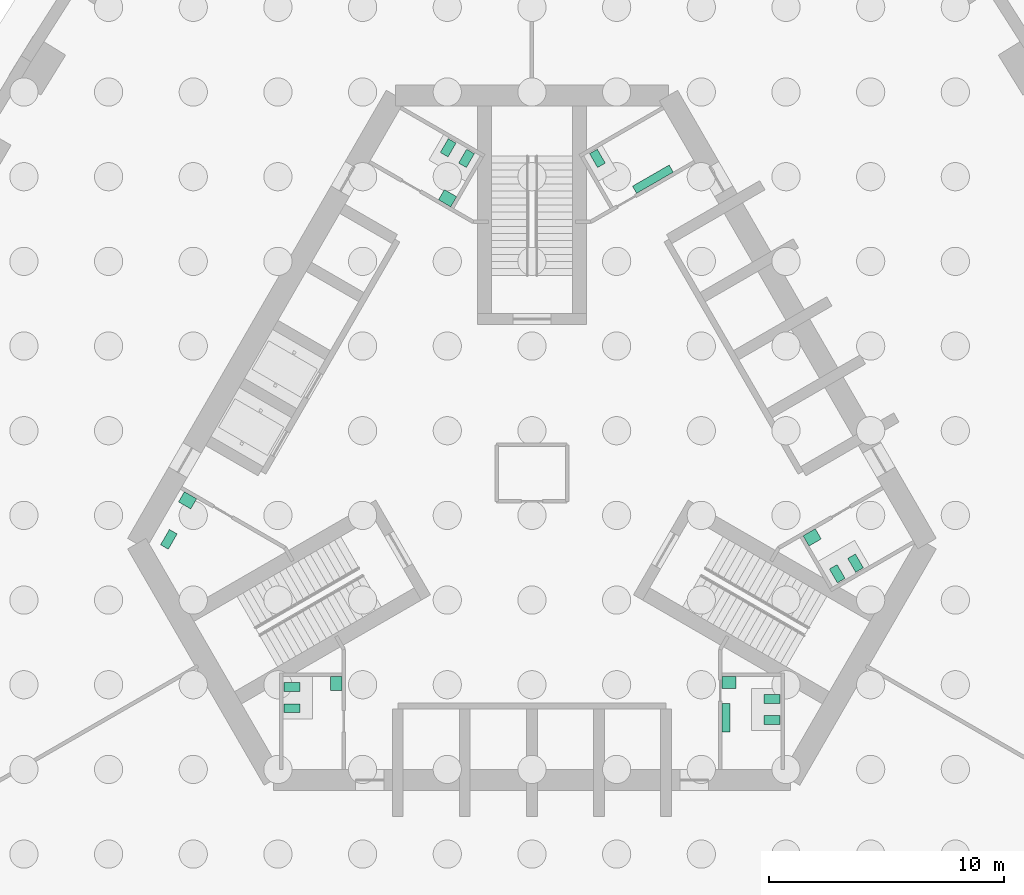
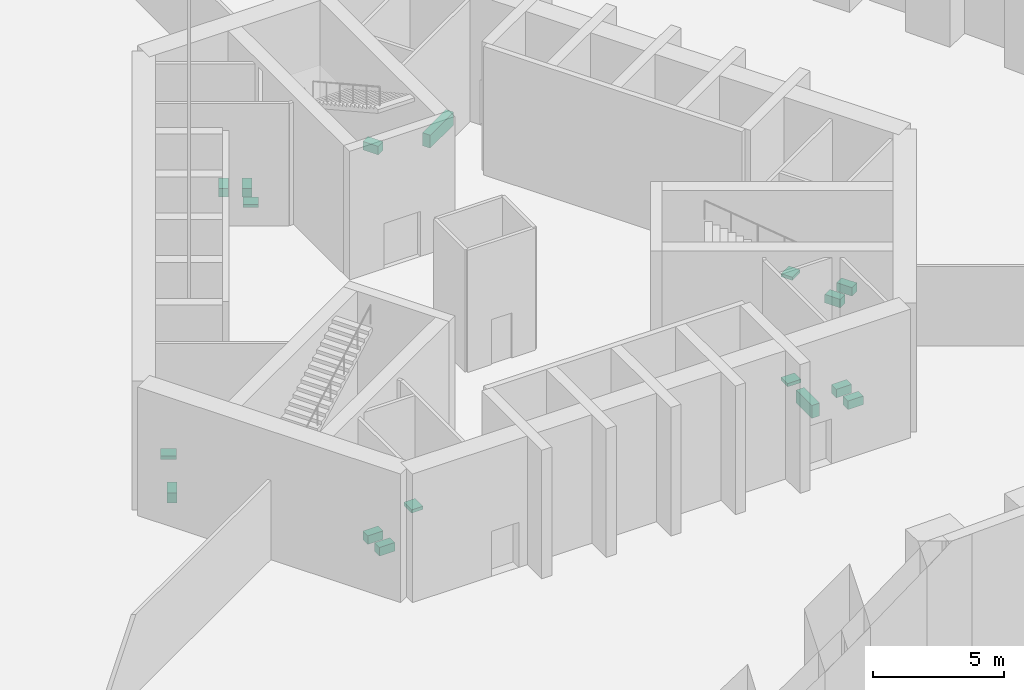
# One storey, part 7 of 12: 17 sanitary terminals.
"""IFC4 building model written with IfcOpenShell, lengths in metres."""

from ifc_helpers import new_model, si_unit, direction, frame, origin, place, context, subcontext, project, spatial, polyline, outline, extrude, material, type_object, element, save


model = new_model("IFC4")

# Units and contexts
model_context = context("Model", 3, precision=1e-05, world=origin(), true_north=direction((0.0, 1.0)))
body_context = subcontext(model_context, "Body", "Model", "MODEL_VIEW")
ifc_project = project(units=[si_unit("LENGTHUNIT", "METRE"), si_unit("AREAUNIT", "SQUARE_METRE"), si_unit("VOLUMEUNIT", "CUBIC_METRE"), si_unit("PLANEANGLEUNIT", "RADIAN"), si_unit("MASSUNIT", "GRAM", prefix="KILO")], contexts=[model_context])

# Site, building, storey
site_placement = place(None, origin())
site = spatial("IfcSite", under=ifc_project, at=site_placement, CompositionType="ELEMENT")
building_placement = place(site_placement, origin())
building = spatial("IfcBuilding", under=site, at=building_placement, Name="Trefoil Bronze Tower", CompositionType="ELEMENT")
storey_placement = place(building_placement, frame((0.0, 0.0, -6.0)))
storey = spatial("IfcBuildingStorey", under=building, at=storey_placement, Name="B1", CompositionType="ELEMENT", Elevation=-6.0)

# Sanitary terminals
ifc_material_1 = material(Name="Vitreous china", Category="ceramic")
sanitary_terminal_type_1 = type_object("IfcSanitaryTerminalType", Name="Accessible WC pan", PredefinedType="TOILETPAN", material=ifc_material_1)
sanitary_terminal_1_placement = place(storey_placement, origin())
element("IfcSanitaryTerminal", 1, at=sanitary_terminal_1_placement, inside=storey, type_object=sanitary_terminal_type_1, Name="WC pan 1 Accessible WC B1", PredefinedType="TOILETPAN", context=body_context, shape_type="SweptSolid", body=[
    extrude(outline(polyline([(-15.085693359375, -2.589111328125), (-15.460693359375, -3.238525390625), (-15.789794921875, -3.048583984375), (-15.414794921875, -2.399169921875), (-15.085693359375, -2.589111328125)])), origin(), (0.0, 0.0, 1.0), 0.449951171875),
])
ifc_material_2 = material(Name="Vitreous china", Category="ceramic")
sanitary_terminal_type_2 = type_object("IfcSanitaryTerminalType", Name="Accessible basin", PredefinedType="WASHHANDBASIN", material=ifc_material_2)
sanitary_terminal_2_placement = place(storey_placement, frame((0.0, 0.0, 0.64990234375)))
element("IfcSanitaryTerminal", 2, at=sanitary_terminal_2_placement, inside=storey, type_object=sanitary_terminal_type_2, Name="Wash basin Accessible WC B1", PredefinedType="WASHHANDBASIN", context=body_context, shape_type="SweptSolid", body=[
    extrude(outline(polyline([(-14.256591796875, -1.09326171875), (-14.506591796875, -1.526123046875), (-15.026123046875, -1.22607421875), (-14.776123046875, -0.793212890625), (-14.256591796875, -1.09326171875)])), origin(), (0.0, 0.0, 1.0), 0.150146484375),
])
ifc_material_3 = material(Name="Vitreous china", Category="ceramic")
sanitary_terminal_type_3 = type_object("IfcSanitaryTerminalType", Name="Urinal range 2 urinals", PredefinedType="URINAL", material=ifc_material_3)
sanitary_terminal_3_placement = place(storey_placement, frame((0.0, 0.0, 0.39990234375)))
element("IfcSanitaryTerminal", 3, at=sanitary_terminal_3_placement, inside=storey, type_object=sanitary_terminal_type_3, Name="Urinal range WC (men) B1", PredefinedType="URINAL", context=body_context, shape_type="SweptSolid", body=[
    extrude(outline(polyline([(8.074951171875, -9.800048828125), (8.425048828125, -9.800048828125), (8.425048828125, -11.0), (8.074951171875, -11.0), (8.074951171875, -9.800048828125)])), origin(), (0.0, 0.0, 1.0), 0.60009765625),
])
ifc_material_4 = material(Name="Vitreous china", Category="ceramic")
sanitary_terminal_type_4 = type_object("IfcSanitaryTerminalType", Name="Urinal range 3 urinals", PredefinedType="URINAL", material=ifc_material_4)
sanitary_terminal_4_placement = place(storey_placement, frame((0.0, 0.0, 0.39990234375)))
element("IfcSanitaryTerminal", 4, at=sanitary_terminal_4_placement, inside=storey, type_object=sanitary_terminal_type_4, Name="Urinal range WC (men) B1", PredefinedType="URINAL", context=body_context, shape_type="SweptSolid", body=[
    extrude(outline(polyline([(4.449462890625, 11.89306640625), (4.274658203125, 12.1962890625), (5.83349609375, 13.09619140625), (6.00830078125, 12.793212890625), (4.449462890625, 11.89306640625)])), origin(), (0.0, 0.0, 1.0), 0.60009765625),
])
ifc_material_5 = material(Name="Solid surface vanity", Category="plastic")
sanitary_terminal_type_5 = type_object("IfcSanitaryTerminalType", Name="Vanity unit 1 basins", PredefinedType="WASHHANDBASIN", material=ifc_material_5)
sanitary_terminal_5_placement = place(storey_placement, frame((0.0, 0.0, 0.75)))
element("IfcSanitaryTerminal", 5, at=sanitary_terminal_5_placement, inside=storey, type_object=sanitary_terminal_type_5, Name="Vanity unit WC (men) B1", PredefinedType="WASHHANDBASIN", context=body_context, shape_type="SweptSolid", body=[
    extrude(outline(polyline([(8.074951171875, -8.64990234375), (8.675048828125, -8.64990234375), (8.675048828125, -9.14990234375), (8.074951171875, -9.14990234375), (8.074951171875, -8.64990234375)])), origin(), (0.0, 0.0, 1.0), 0.14990234375),
])
sanitary_terminal_6_placement = place(storey_placement, frame((0.0, 0.0, 0.75)))
element("IfcSanitaryTerminal", 6, at=sanitary_terminal_6_placement, inside=storey, type_object=sanitary_terminal_type_5, Name="Vanity unit WC (women) B1", PredefinedType="WASHHANDBASIN", context=body_context, shape_type="SweptSolid", body=[
    extrude(outline(polyline([(11.528564453125, -2.668212890625), (11.778564453125, -3.10107421875), (12.29833984375, -2.80126953125), (12.04833984375, -2.3681640625), (11.528564453125, -2.668212890625)])), origin(), (0.0, 0.0, 1.0), 0.14990234375),
])
sanitary_terminal_7_placement = place(storey_placement, frame((0.0, 0.0, 0.75)))
element("IfcSanitaryTerminal", 7, at=sanitary_terminal_7_placement, inside=storey, type_object=sanitary_terminal_type_5, Name="Vanity unit WC (women) B1", PredefinedType="WASHHANDBASIN", context=body_context, shape_type="SweptSolid", body=[
    extrude(outline(polyline([(-3.45361328125, 11.318115234375), (-3.20361328125, 11.751220703125), (-3.72314453125, 12.05126953125), (-3.97314453125, 11.6181640625), (-3.45361328125, 11.318115234375)])), origin(), (0.0, 0.0, 1.0), 0.14990234375),
])
sanitary_terminal_8_placement = place(storey_placement, frame((0.0, 0.0, 0.75)))
element("IfcSanitaryTerminal", 8, at=sanitary_terminal_8_placement, inside=storey, type_object=sanitary_terminal_type_5, Name="Vanity unit WC (women) B1", PredefinedType="WASHHANDBASIN", context=body_context, shape_type="SweptSolid", body=[
    extrude(outline(polyline([(-8.074951171875, -8.64990234375), (-8.574951171875, -8.64990234375), (-8.574951171875, -9.25), (-8.074951171875, -9.25), (-8.074951171875, -8.64990234375)])), origin(), (0.0, 0.0, 1.0), 0.14990234375),
])
ifc_material_6 = material(Name="Vitreous china", Category="ceramic")
sanitary_terminal_type_6 = type_object("IfcSanitaryTerminalType", Name="WC pan", PredefinedType="TOILETPAN", material=ifc_material_6)
sanitary_terminal_9_placement = place(storey_placement, origin())
element("IfcSanitaryTerminal", 9, at=sanitary_terminal_9_placement, inside=storey, type_object=sanitary_terminal_type_6, Name="WC pan 1 WC (men) B1", PredefinedType="TOILETPAN", context=body_context, shape_type="SweptSolid", body=[
    extrude(outline(polyline([(9.85498046875, -9.409912109375), (10.534912109375, -9.409912109375), (10.534912109375, -9.7900390625), (9.85498046875, -9.7900390625), (9.85498046875, -9.409912109375)])), origin(), (0.0, 0.0, 1.0), 0.39990234375),
])
sanitary_terminal_10_placement = place(storey_placement, origin())
element("IfcSanitaryTerminal", 10, at=sanitary_terminal_10_placement, inside=storey, type_object=sanitary_terminal_type_6, Name="WC pan 2 WC (men) B1", PredefinedType="TOILETPAN", context=body_context, shape_type="SweptSolid", body=[
    extrude(outline(polyline([(9.85498046875, -10.31005859375), (10.534912109375, -10.31005859375), (10.534912109375, -10.68994140625), (9.85498046875, -10.68994140625), (9.85498046875, -10.31005859375)])), origin(), (0.0, 0.0, 1.0), 0.39990234375),
])
sanitary_terminal_11_placement = place(storey_placement, origin())
element("IfcSanitaryTerminal", 11, at=sanitary_terminal_11_placement, inside=storey, type_object=sanitary_terminal_type_6, Name="WC pan 1 WC (women) B1", PredefinedType="TOILETPAN", context=body_context, shape_type="SweptSolid", body=[
    extrude(outline(polyline([(12.643798828125, -4.07958984375), (12.98388671875, -4.66845703125), (13.31298828125, -4.478515625), (12.972900390625, -3.8896484375), (12.643798828125, -4.07958984375)])), origin(), (0.0, 0.0, 1.0), 0.39990234375),
])
sanitary_terminal_12_placement = place(storey_placement, origin())
element("IfcSanitaryTerminal", 12, at=sanitary_terminal_12_placement, inside=storey, type_object=sanitary_terminal_type_6, Name="WC pan 2 WC (women) B1", PredefinedType="TOILETPAN", context=body_context, shape_type="SweptSolid", body=[
    extrude(outline(polyline([(13.423095703125, -3.629638671875), (13.76318359375, -4.218505859375), (14.09228515625, -4.028564453125), (13.752197265625, -3.439697265625), (13.423095703125, -3.629638671875)])), origin(), (0.0, 0.0, 1.0), 0.39990234375),
])
sanitary_terminal_13_placement = place(storey_placement, origin())
element("IfcSanitaryTerminal", 13, at=sanitary_terminal_13_placement, inside=storey, type_object=sanitary_terminal_type_6, Name="WC pan 1 WC (men) B1", PredefinedType="TOILETPAN", context=body_context, shape_type="SweptSolid", body=[
    extrude(outline(polyline([(2.788818359375, 12.98974609375), (2.44873046875, 13.57861328125), (2.77783203125, 13.7685546875), (3.117919921875, 13.1796875), (2.788818359375, 12.98974609375)])), origin(), (0.0, 0.0, 1.0), 0.39990234375),
])
sanitary_terminal_14_placement = place(storey_placement, origin())
element("IfcSanitaryTerminal", 14, at=sanitary_terminal_14_placement, inside=storey, type_object=sanitary_terminal_type_6, Name="WC pan 1 WC (women) B1", PredefinedType="TOILETPAN", context=body_context, shape_type="SweptSolid", body=[
    extrude(outline(polyline([(-2.788818359375, 12.98974609375), (-2.44873046875, 13.57861328125), (-2.77783203125, 13.7685546875), (-3.117919921875, 13.1796875), (-2.788818359375, 12.98974609375)])), origin(), (0.0, 0.0, 1.0), 0.39990234375),
])
sanitary_terminal_15_placement = place(storey_placement, origin())
element("IfcSanitaryTerminal", 15, at=sanitary_terminal_15_placement, inside=storey, type_object=sanitary_terminal_type_6, Name="WC pan 2 WC (women) B1", PredefinedType="TOILETPAN", context=body_context, shape_type="SweptSolid", body=[
    extrude(outline(polyline([(-3.568115234375, 13.439697265625), (-3.228271484375, 14.028564453125), (-3.557373046875, 14.218505859375), (-3.897216796875, 13.629638671875), (-3.568115234375, 13.439697265625)])), origin(), (0.0, 0.0, 1.0), 0.39990234375),
])
sanitary_terminal_16_placement = place(storey_placement, origin())
element("IfcSanitaryTerminal", 16, at=sanitary_terminal_16_placement, inside=storey, type_object=sanitary_terminal_type_6, Name="WC pan 1 WC (women) B1", PredefinedType="TOILETPAN", context=body_context, shape_type="SweptSolid", body=[
    extrude(outline(polyline([(-9.85498046875, -8.909912109375), (-10.534912109375, -8.909912109375), (-10.534912109375, -9.2900390625), (-9.85498046875, -9.2900390625), (-9.85498046875, -8.909912109375)])), origin(), (0.0, 0.0, 1.0), 0.39990234375),
])
sanitary_terminal_17_placement = place(storey_placement, origin())
element("IfcSanitaryTerminal", 17, at=sanitary_terminal_17_placement, inside=storey, type_object=sanitary_terminal_type_6, Name="WC pan 2 WC (women) B1", PredefinedType="TOILETPAN", context=body_context, shape_type="SweptSolid", body=[
    extrude(outline(polyline([(-9.85498046875, -9.81005859375), (-10.534912109375, -9.81005859375), (-10.534912109375, -10.18994140625), (-9.85498046875, -10.18994140625), (-9.85498046875, -9.81005859375)])), origin(), (0.0, 0.0, 1.0), 0.39990234375),
])

save(model, "model.ifc")
